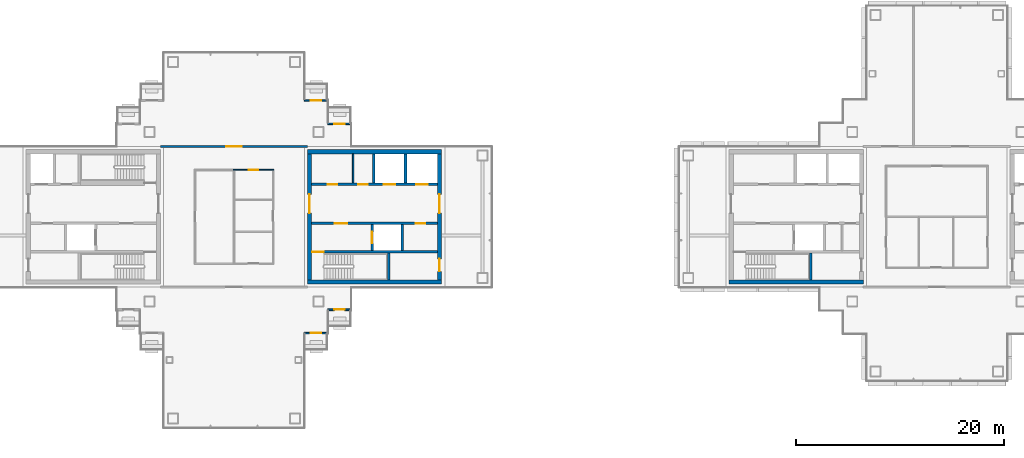
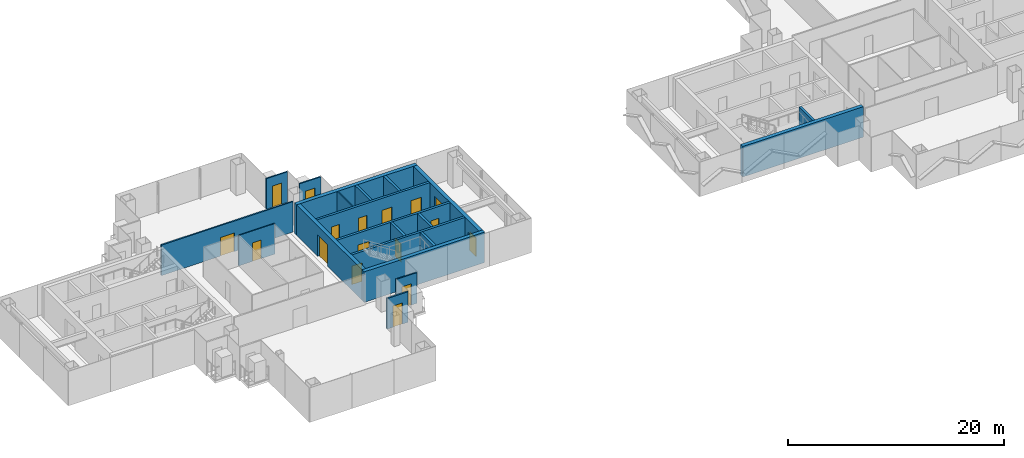
# One storey, part 10 of 17: 21 walls, 17 doors, 17 openings.
"""IFC4 building model written with IfcOpenShell, lengths in metres."""

from ifc_helpers import new_model, si_unit, direction, frame, frame_2d, origin, place, context, subcontext, project, spatial, rectangle, extrude, material, layer, layer_set, type_object, element, fill, save


model = new_model("IFC4")

# Units and contexts
model_context = context("Model", 3, precision=1e-05, world=origin(), true_north=direction((0.0, 1.0)))
body_context = subcontext(model_context, "Body", "Model", "MODEL_VIEW")
ifc_project = project(units=[si_unit("LENGTHUNIT", "METRE"), si_unit("AREAUNIT", "SQUARE_METRE"), si_unit("VOLUMEUNIT", "CUBIC_METRE"), si_unit("PLANEANGLEUNIT", "RADIAN"), si_unit("MASSUNIT", "GRAM", prefix="KILO")], contexts=[model_context])

# Site, building, storey
site_placement = place(None, origin())
site = spatial("IfcSite", under=ifc_project, at=site_placement, CompositionType="ELEMENT")
building_placement = place(site_placement, origin())
building = spatial("IfcBuilding", under=site, at=building_placement, Name="Shamsa Quay Exchange Towers", CompositionType="ELEMENT")
storey_placement = place(building_placement, frame((0.0, 0.0, 221.699951171875)))
storey = spatial("IfcBuildingStorey", under=building, at=storey_placement, Name="L53", CompositionType="ELEMENT", Elevation=221.699951171875)

# Wall, opening, door
ifc_material_1 = material(Name="Aluminium EN AW-6063 T6, black anodised, with black enamelled glass infill", Category="aluminium")
ifc_layer_1 = layer(ifc_material_1, 0.14990234375)
ifc_layer_set_1 = layer_set([ifc_layer_1], Name="BALCONY DOOR BAY WALL 150")
wall_type_1 = type_object("IfcWallType", Name="BALCONY DOOR BAY WALL 150", PredefinedType="SOLIDWALL", material=ifc_layer_set_1)
wall_1_placement = place(storey_placement, frame((-24.75, 8.925048828125, 0.0)))
wall_1 = element("IfcWall", 1, at=wall_1_placement, inside=storey, type_object=wall_type_1, Name="Door bay T1-PKEN L53", PredefinedType="SOLIDWALL", context=body_context, shape_type="SweptSolid", body=[
    extrude(rectangle(XDim=2.25, YDim=0.14990234375, at=frame_2d((1.125, 0.0))), origin(), (0.0, 0.0, 1.0), 3.449951171875),
])
opening_1_placement = place(wall_1_placement, frame((0.625, 0.0, 0.0)))
opening_1 = element("IfcOpeningElement", 2, at=opening_1_placement, cuts=wall_1, Name="Opening XD353", PredefinedType="OPENING", context=body_context, shape_type="SweptSolid", body=[
    extrude(rectangle(XDim=1.0, YDim=2.39990234375, at=frame_2d((0.5, 1.199951171875))), frame((0.0, 0.0849609375, 0.0), z_axis=(0.0, -1.0, 0.0), x_axis=(1.0, 0.0, 0.0)), (0.0, 0.0, 1.0), 0.169921875),
])
ifc_material_2 = material(Name="Aluminium EN AW-6063 T6, black anodised, with laminated glass leaf", Category="aluminium")
door_type_1 = type_object("IfcDoorType", Name="BALCONY DOOR 1000x2400", OperationType="SINGLE_SWING_LEFT", PredefinedType="DOOR", material=ifc_material_2)
door_1_placement = place(opening_1_placement, origin())
door_1 = element("IfcDoor", 3, at=door_1_placement, inside=storey, type_object=door_type_1, Name="Balcony door T1-PKEN L53", OperationType="SINGLE_SWING_RIGHT", OverallHeight=2.39990234375, OverallWidth=1.0, PredefinedType="DOOR", context=body_context, shape_type="SweptSolid", body=[
    extrude(rectangle(XDim=1.0, YDim=2.39990234375, at=frame_2d((0.5, 1.199951171875))), frame((0.0, 0.02490234375, 0.0), z_axis=(0.0, -1.0, 0.0), x_axis=(1.0, 0.0, 0.0)), (0.0, 0.0, 1.0), 0.050048828125),
])
fill(opening_1, door_1)

wall_2_placement = place(storey_placement, frame((-27.0, 11.175048828125, 0.0)))
wall_2 = element("IfcWall", 4, at=wall_2_placement, inside=storey, type_object=wall_type_1, Name="Door bay T1-PKEN L53", PredefinedType="SOLIDWALL", context=body_context, shape_type="SweptSolid", body=[
    extrude(rectangle(XDim=2.25, YDim=0.14990234375, at=frame_2d((1.125, 0.0))), origin(), (0.0, 0.0, 1.0), 3.449951171875),
])
opening_2_placement = place(wall_2_placement, frame((0.625, 0.0, 0.0)))
opening_2 = element("IfcOpeningElement", 5, at=opening_2_placement, cuts=wall_2, Name="Opening XD354", PredefinedType="OPENING", context=body_context, shape_type="SweptSolid", body=[
    extrude(rectangle(XDim=1.0, YDim=2.39990234375, at=frame_2d((0.5, 1.199951171875))), frame((0.0, 0.0849609375, 0.0), z_axis=(0.0, -1.0, 0.0), x_axis=(1.0, 0.0, 0.0)), (0.0, 0.0, 1.0), 0.169921875),
])
door_2_placement = place(opening_2_placement, origin())
door_2 = element("IfcDoor", 6, at=door_2_placement, inside=storey, type_object=door_type_1, Name="Balcony door T1-PKEN L53", OperationType="SINGLE_SWING_LEFT", OverallHeight=2.39990234375, OverallWidth=1.0, PredefinedType="DOOR", context=body_context, shape_type="SweptSolid", body=[
    extrude(rectangle(XDim=1.0, YDim=2.39990234375, at=frame_2d((0.5, 1.199951171875))), frame((0.0, 0.02490234375, 0.0), z_axis=(0.0, -1.0, 0.0), x_axis=(1.0, 0.0, 0.0)), (0.0, 0.0, 1.0), 0.050048828125),
])
fill(opening_2, door_2)

wall_3_placement = place(storey_placement, frame((-22.5, -8.925048828125, 0.0), z_axis=(0.0, 0.0, 1.0), x_axis=(-1.0, 0.0, 0.0)))
wall_3 = element("IfcWall", 7, at=wall_3_placement, inside=storey, type_object=wall_type_1, Name="Door bay T1-PKES L53", PredefinedType="SOLIDWALL", context=body_context, shape_type="SweptSolid", body=[
    extrude(rectangle(XDim=2.25, YDim=0.14990234375, at=frame_2d((1.125, 0.0))), origin(), (0.0, 0.0, 1.0), 3.449951171875),
])
opening_3_placement = place(wall_3_placement, frame((0.625, 0.0, 0.0)))
opening_3 = element("IfcOpeningElement", 8, at=opening_3_placement, cuts=wall_3, Name="Opening XD355", PredefinedType="OPENING", context=body_context, shape_type="SweptSolid", body=[
    extrude(rectangle(XDim=1.0, YDim=2.39990234375, at=frame_2d((0.5, 1.199951171875))), frame((0.0, 0.0849609375, 0.0), z_axis=(0.0, -1.0, 0.0), x_axis=(1.0, 0.0, 0.0)), (0.0, 0.0, 1.0), 0.169921875),
])
door_3_placement = place(opening_3_placement, origin())
door_3 = element("IfcDoor", 9, at=door_3_placement, inside=storey, type_object=door_type_1, Name="Balcony door T1-PKES L53", OperationType="SINGLE_SWING_RIGHT", OverallHeight=2.39990234375, OverallWidth=1.0, PredefinedType="DOOR", context=body_context, shape_type="SweptSolid", body=[
    extrude(rectangle(XDim=1.0, YDim=2.39990234375, at=frame_2d((0.5, 1.199951171875))), frame((0.0, 0.02490234375, 0.0), z_axis=(0.0, -1.0, 0.0), x_axis=(1.0, 0.0, 0.0)), (0.0, 0.0, 1.0), 0.050048828125),
])
fill(opening_3, door_3)

wall_4_placement = place(storey_placement, frame((-24.75, -11.175048828125, 0.0), z_axis=(0.0, 0.0, 1.0), x_axis=(-1.0, 0.0, 0.0)))
wall_4 = element("IfcWall", 10, at=wall_4_placement, inside=storey, type_object=wall_type_1, Name="Door bay T1-PKES L53", PredefinedType="SOLIDWALL", context=body_context, shape_type="SweptSolid", body=[
    extrude(rectangle(XDim=2.25, YDim=0.14990234375, at=frame_2d((1.125, 0.0))), origin(), (0.0, 0.0, 1.0), 3.449951171875),
])
opening_4_placement = place(wall_4_placement, frame((0.625, 0.0, 0.0)))
opening_4 = element("IfcOpeningElement", 11, at=opening_4_placement, cuts=wall_4, Name="Opening XD356", PredefinedType="OPENING", context=body_context, shape_type="SweptSolid", body=[
    extrude(rectangle(XDim=1.0, YDim=2.39990234375, at=frame_2d((0.5, 1.199951171875))), frame((0.0, 0.0849609375, 0.0), z_axis=(0.0, -1.0, 0.0), x_axis=(1.0, 0.0, 0.0)), (0.0, 0.0, 1.0), 0.169921875),
])
door_4_placement = place(opening_4_placement, origin())
door_4 = element("IfcDoor", 12, at=door_4_placement, inside=storey, type_object=door_type_1, Name="Balcony door T1-PKES L53", OperationType="SINGLE_SWING_LEFT", OverallHeight=2.39990234375, OverallWidth=1.0, PredefinedType="DOOR", context=body_context, shape_type="SweptSolid", body=[
    extrude(rectangle(XDim=1.0, YDim=2.39990234375, at=frame_2d((0.5, 1.199951171875))), frame((0.0, 0.02490234375, 0.0), z_axis=(0.0, -1.0, 0.0), x_axis=(1.0, 0.0, 0.0)), (0.0, 0.0, 1.0), 0.050048828125),
])
fill(opening_4, door_4)

# Walls
ifc_material_3 = material(Name="Concrete C60/75", Category="concrete")
ifc_layer_2 = layer(ifc_material_3, 0.39990234375)
ifc_layer_set_2 = layer_set([ifc_layer_2], Name="CORE WALL 400 C60/75")
wall_type_2 = type_object("IfcWallType", Name="CORE WALL 400 C60/75", PredefinedType="SHEAR", material=ifc_layer_set_2)
for number, where, name in (
    (13, (-26.699951171875, -6.25, 0.0), "Core wall T1A-R24-PS"),
    (14, (-26.699951171875, 6.25, 0.0), "Core wall T1A-R24-PN"),
):
    element("IfcWall", number, at=place(storey_placement, frame(where)), inside=storey, type_object=wall_type_2, Name=name, PredefinedType="SHEAR", context=body_context, shape_type="SweptSolid", body=[
        extrude(rectangle(XDim=12.89990234375, YDim=0.39990234375, at=frame_2d((6.449951171875, 0.0))), origin(), (0.0, 0.0, 1.0), 3.449951171875),
    ])

# Wall, opening, door
wall_5_placement = place(storey_placement, frame((-26.5, 6.050048828125, 0.0), z_axis=(0.0, 0.0, 1.0), x_axis=(0.0, -1.0, 0.0)))
wall_5 = element("IfcWall", 15, at=wall_5_placement, inside=storey, type_object=wall_type_2, Name="Core wall T1A-R24-PF", PredefinedType="SHEAR", context=body_context, shape_type="SweptSolid", body=[
    extrude(rectangle(XDim=12.10009765625, YDim=0.39990234375, at=frame_2d((6.050048828125, 0.0))), origin(), (0.0, 0.0, 1.0), 3.449951171875),
])
opening_5_placement = place(wall_5_placement, frame((3.89990234375, 0.0, 0.0)))
opening_5 = element("IfcOpeningElement", 16, at=opening_5_placement, cuts=wall_5, Name="Opening T1A-R24-LBD01", PredefinedType="OPENING", context=body_context, shape_type="SweptSolid", body=[
    extrude(rectangle(XDim=1.800048828125, YDim=2.39990234375, at=frame_2d((0.89990234375, 1.199951171875))), frame((0.0, 0.2099609375, 0.0), z_axis=(0.0, -1.0, 0.0), x_axis=(1.0, 0.0, 0.0)), (0.0, 0.0, 1.0), 0.419921875),
])
ifc_material_4 = material(Name="Steel, fire rated", Category="steel")
door_type_2 = type_object("IfcDoorType", Name="LIFT LOBBY DOOR PAIR 1800", OperationType="DOUBLE_DOOR_SINGLE_SWING", PredefinedType="DOOR", material=ifc_material_4)
door_5_placement = place(opening_5_placement, origin())
door_5 = element("IfcDoor", 17, at=door_5_placement, inside=storey, type_object=door_type_2, Name="T1A-R24-LBD01", OperationType="DOUBLE_DOOR_SINGLE_SWING", OverallHeight=2.39990234375, OverallWidth=1.800048828125, PredefinedType="DOOR", context=body_context, shape_type="SweptSolid", body=[
    extrude(rectangle(XDim=1.800048828125, YDim=2.39990234375, at=frame_2d((0.89990234375, 1.199951171875))), frame((0.0, 0.02490234375, 0.0), z_axis=(0.0, -1.0, 0.0), x_axis=(1.0, 0.0, 0.0)), (0.0, 0.0, 1.0), 0.050048828125),
])
fill(opening_5, door_5)

# Wall, openings, doors
wall_6_placement = place(storey_placement, frame((-14.0, 6.050048828125, 0.0), z_axis=(0.0, 0.0, 1.0), x_axis=(0.0, -1.0, 0.0)))
wall_6 = element("IfcWall", 18, at=wall_6_placement, inside=storey, type_object=wall_type_2, Name="Core wall T1A-R24-PB", PredefinedType="SHEAR", context=body_context, shape_type="SweptSolid", body=[
    extrude(rectangle(XDim=12.10009765625, YDim=0.39990234375, at=frame_2d((6.050048828125, 0.0))), origin(), (0.0, 0.0, 1.0), 3.449951171875),
])
opening_6_placement = place(wall_6_placement, frame((10.10009765625, 0.0, 0.0)))
opening_6 = element("IfcOpeningElement", 19, at=opening_6_placement, cuts=wall_6, Name="Opening T1A-R24-RD02", PredefinedType="OPENING", context=body_context, shape_type="SweptSolid", body=[
    extrude(rectangle(XDim=1.199951171875, YDim=2.10009765625, at=frame_2d((0.60009765625, 1.050048828125))), frame((0.0, 0.2099609375, 0.0), z_axis=(0.0, -1.0, 0.0), x_axis=(1.0, 0.0, 0.0)), (0.0, 0.0, 1.0), 0.419921875),
])
opening_7_placement = place(wall_6_placement, frame((3.89990234375, 0.0, 0.0)))
opening_7 = element("IfcOpeningElement", 20, at=opening_7_placement, cuts=wall_6, Name="Opening T1A-R24-LBD03", PredefinedType="OPENING", context=body_context, shape_type="SweptSolid", body=[
    extrude(rectangle(XDim=1.800048828125, YDim=2.39990234375, at=frame_2d((0.89990234375, 1.199951171875))), frame((0.0, 0.2099609375, 0.0), z_axis=(0.0, -1.0, 0.0), x_axis=(1.0, 0.0, 0.0)), (0.0, 0.0, 1.0), 0.419921875),
])
door_6_placement = place(opening_7_placement, origin())
door_6 = element("IfcDoor", 21, at=door_6_placement, inside=storey, type_object=door_type_2, Name="T1A-R24-LBD03", OperationType="DOUBLE_DOOR_SINGLE_SWING", OverallHeight=2.39990234375, OverallWidth=1.800048828125, PredefinedType="DOOR", context=body_context, shape_type="SweptSolid", body=[
    extrude(rectangle(XDim=1.800048828125, YDim=2.39990234375, at=frame_2d((0.89990234375, 1.199951171875))), frame((0.0, 0.02490234375, 0.0), z_axis=(0.0, -1.0, 0.0), x_axis=(1.0, 0.0, 0.0)), (0.0, 0.0, 1.0), 0.050048828125),
])
fill(opening_7, door_6)
door_type_3 = type_object("IfcDoorType", Name="RISER ACCESS DOOR 1200", OperationType="SINGLE_SWING_LEFT", PredefinedType="DOOR", material=ifc_material_4)
door_7_placement = place(opening_6_placement, origin())
door_7 = element("IfcDoor", 22, at=door_7_placement, inside=storey, type_object=door_type_3, Name="T1A-R24-RD02", OperationType="SINGLE_SWING_RIGHT", OverallHeight=2.10009765625, OverallWidth=1.199951171875, PredefinedType="DOOR", context=body_context, shape_type="SweptSolid", body=[
    extrude(rectangle(XDim=1.199951171875, YDim=2.10009765625, at=frame_2d((0.60009765625, 1.050048828125))), frame((0.0, 0.02490234375, 0.0), z_axis=(0.0, -1.0, 0.0), x_axis=(1.0, 0.0, 0.0)), (0.0, 0.0, 1.0), 0.050048828125),
])
fill(opening_6, door_7)

# Walls
wall_7_placement = place(storey_placement, frame((13.800048828125, -6.25, 0.0)))
element("IfcWall", 23, at=wall_7_placement, inside=storey, type_object=wall_type_2, Name="Core wall T2A-R24-PS", PredefinedType="SHEAR", context=body_context, shape_type="SweptSolid", body=[
    extrude(rectangle(XDim=12.89990234375, YDim=0.39990234375, at=frame_2d((6.449951171875, 0.0))), origin(), (0.0, 0.0, 1.0), 3.449951171875),
])
ifc_material_5 = material(Name="Gypsum board on steel studs, EI 60", Category="steel")
ifc_layer_3 = layer(ifc_material_5, 0.14990234375)
ifc_layer_set_3 = layer_set([ifc_layer_3], Name="FIRE PARTITION 150")
wall_type_3 = type_object("IfcWallType", Name="FIRE PARTITION 150", PredefinedType="PARTITIONING", material=ifc_layer_set_3)
wall_8_placement = place(storey_placement, frame((-22.300048828125, 3.25, 0.0), z_axis=(0.0, 0.0, 1.0), x_axis=(0.0, 1.0, 0.0)))
element("IfcWall", 24, at=wall_8_placement, inside=storey, type_object=wall_type_3, Name="Partition T1A-R24-FC0", PredefinedType="PARTITIONING", context=body_context, shape_type="SweptSolid", body=[
    extrude(rectangle(XDim=2.800048828125, YDim=0.14990234375, at=frame_2d((1.39990234375, 0.0))), origin(), (0.0, 0.0, 1.0), 3.449951171875),
])

# Wall, opening, door
ifc_material_6 = material(Name="Gypsum board partition on metal studs")
ifc_layer_4 = layer(ifc_material_6, 0.10009765625)
ifc_layer_set_4 = layer_set([ifc_layer_4], Name="Partition 100 mm NOT RATED")
wall_type_4 = type_object("IfcWallType", Name="Partition 100 mm NOT RATED", PredefinedType="PARTITIONING", material=ifc_layer_set_4)
wall_9_placement = place(storey_placement, frame((-29.949951171875, 4.5, 0.0), z_axis=(0.0, 0.0, 1.0), x_axis=(-1.0, 0.0, 0.0)))
wall_9 = element("IfcWall", 25, at=wall_9_placement, inside=storey, type_object=wall_type_4, Name="Partition T1-R24-W06", PredefinedType="PARTITIONING", context=body_context, shape_type="SweptSolid", body=[
    extrude(rectangle(XDim=3.862548828125, YDim=0.10009765625, at=frame_2d((1.93115234375, 0.0))), origin(), (0.0, 0.0, 1.0), 3.449951171875),
])
opening_8_placement = place(wall_9_placement, frame((1.47509765625, 0.0, 0.0)))
opening_8 = element("IfcOpeningElement", 26, at=opening_8_placement, cuts=wall_9, Name="Opening T1-R24-D05", PredefinedType="OPENING", context=body_context, shape_type="SweptSolid", body=[
    extrude(rectangle(XDim=0.89990234375, YDim=2.10009765625, at=frame_2d((0.449951171875, 1.050048828125))), frame((0.0, 0.06005859375, 0.0), z_axis=(0.0, -1.0, 0.0), x_axis=(1.0, 0.0, 0.0)), (0.0, 0.0, 1.0), 0.1201171875),
])
ifc_material_7 = material(Name="Timber door leaf in a metal frame", Category="wood")
door_type_4 = type_object("IfcDoorType", Name="Door 900x2100 NOT RATED", OperationType="NOTDEFINED", PredefinedType="DOOR", material=ifc_material_7)
door_8_placement = place(opening_8_placement, origin())
door_8 = element("IfcDoor", 27, at=door_8_placement, inside=storey, type_object=door_type_4, Name="Door T1-R24-D05", OperationType="SINGLE_SWING_LEFT", OverallHeight=2.10009765625, OverallWidth=0.89990234375, PredefinedType="DOOR", context=body_context, shape_type="SweptSolid", body=[
    extrude(rectangle(XDim=0.89990234375, YDim=2.10009765625, at=frame_2d((0.449951171875, 1.050048828125))), frame((0.0, 0.02490234375, 0.0), z_axis=(0.0, -1.0, 0.0), x_axis=(1.0, 0.0, 0.0)), (0.0, 0.0, 1.0), 0.050048828125),
])
fill(opening_8, door_8)

ifc_layer_5 = layer(ifc_material_6, 0.14990234375)
ifc_layer_set_5 = layer_set([ifc_layer_5], Name="Partition 150 mm EI 60")
wall_type_5 = type_object("IfcWallType", Name="Partition 150 mm EI 60", PredefinedType="PARTITIONING", material=ifc_layer_set_5)
wall_10_placement = place(storey_placement, frame((-40.800048828125, 6.75, 0.0)))
wall_10 = element("IfcWall", 28, at=wall_10_placement, inside=storey, type_object=wall_type_5, Name="Partition T1-R24-W07", PredefinedType="PARTITIONING", context=body_context, shape_type="SweptSolid", body=[
    extrude(rectangle(XDim=14.10009765625, YDim=0.14990234375, at=frame_2d((7.050048828125, 0.0))), origin(), (0.0, 0.0, 1.0), 3.449951171875),
])
opening_9_placement = place(wall_10_placement, frame((6.300048828125, 0.0, 0.0)))
opening_9 = element("IfcOpeningElement", 29, at=opening_9_placement, cuts=wall_10, Name="Opening T1-R24-D01", PredefinedType="OPENING", context=body_context, shape_type="SweptSolid", body=[
    extrude(rectangle(XDim=1.5, YDim=2.10009765625, at=frame_2d((0.75, 1.050048828125))), frame((0.0, 0.0849609375, 0.0), z_axis=(0.0, -1.0, 0.0), x_axis=(1.0, 0.0, 0.0)), (0.0, 0.0, 1.0), 0.169921875),
])
door_type_5 = type_object("IfcDoorType", Name="Door 1500x2100 FD30S pair", OperationType="NOTDEFINED", PredefinedType="DOOR", material=ifc_material_7)
door_9_placement = place(opening_9_placement, origin())
door_9 = element("IfcDoor", 30, at=door_9_placement, inside=storey, type_object=door_type_5, Name="Door T1-R24-D01", OperationType="DOUBLE_DOOR_SINGLE_SWING", OverallHeight=2.10009765625, OverallWidth=1.5, PredefinedType="DOOR", context=body_context, shape_type="SweptSolid", body=[
    extrude(rectangle(XDim=1.5, YDim=2.10009765625, at=frame_2d((0.75, 1.050048828125))), frame((0.0, 0.02490234375, 0.0), z_axis=(0.0, -1.0, 0.0), x_axis=(1.0, 0.0, 0.0)), (0.0, 0.0, 1.0), 0.050048828125),
])
fill(opening_9, door_9)

ifc_material_8 = material(Name="Concrete C50/60", Category="concrete")
ifc_layer_6 = layer(ifc_material_8, 0.25)
ifc_layer_set_6 = layer_set([ifc_layer_6], Name="SHAFT WALL 250 C50/60")
wall_type_6 = type_object("IfcWallType", Name="SHAFT WALL 250 C50/60", PredefinedType="SHEAR", material=ifc_layer_set_6)
wall_11_placement = place(storey_placement, frame((-14.199951171875, -3.375, 0.0), z_axis=(0.0, 0.0, 1.0), x_axis=(-1.0, 0.0, 0.0)))
wall_11 = element("IfcWall", 31, at=wall_11_placement, inside=storey, type_object=wall_type_6, Name="Shaft wall T1A-R24-STL", PredefinedType="SHEAR", context=body_context, shape_type="SweptSolid", body=[
    extrude(rectangle(XDim=12.10009765625, YDim=0.25, at=frame_2d((6.050048828125, 0.0))), origin(), (0.0, 0.0, 1.0), 3.449951171875),
])
opening_10_placement = place(wall_11_placement, frame((10.949951171875, 0.0, 0.0)))
opening_10 = element("IfcOpeningElement", 32, at=opening_10_placement, cuts=wall_11, Name="Opening T1A-R24-SD04", PredefinedType="OPENING", context=body_context, shape_type="SweptSolid", body=[
    extrude(rectangle(XDim=1.10009765625, YDim=2.10009765625, at=frame_2d((0.550048828125, 1.050048828125))), frame((0.0, 0.135009765625, 0.0), z_axis=(0.0, -1.0, 0.0), x_axis=(1.0, 0.0, 0.0)), (0.0, 0.0, 1.0), 0.27001953125),
])
door_type_6 = type_object("IfcDoorType", Name="STAIR DOOR 1100", OperationType="SINGLE_SWING_LEFT", PredefinedType="DOOR", material=ifc_material_4)
door_10_placement = place(opening_10_placement, origin())
door_10 = element("IfcDoor", 33, at=door_10_placement, inside=storey, type_object=door_type_6, Name="T1A-R24-SD04", OperationType="SINGLE_SWING_RIGHT", OverallHeight=2.10009765625, OverallWidth=1.10009765625, PredefinedType="DOOR", context=body_context, shape_type="SweptSolid", body=[
    extrude(rectangle(XDim=1.10009765625, YDim=2.10009765625, at=frame_2d((0.550048828125, 1.050048828125))), frame((0.0, 0.02490234375, 0.0), z_axis=(0.0, -1.0, 0.0), x_axis=(1.0, 0.0, 0.0)), (0.0, 0.0, 1.0), 0.050048828125),
])
fill(opening_10, door_10)

# Wall
wall_12_placement = place(storey_placement, frame((-18.875, -6.050048828125, 0.0), z_axis=(0.0, 0.0, 1.0), x_axis=(0.0, 1.0, 0.0)))
element("IfcWall", 34, at=wall_12_placement, inside=storey, type_object=wall_type_6, Name="Shaft wall T1A-R24-STF", PredefinedType="SHEAR", context=body_context, shape_type="SweptSolid", body=[
    extrude(rectangle(XDim=2.550048828125, YDim=0.25, at=frame_2d((1.27490234375, 0.0))), origin(), (0.0, 0.0, 1.0), 3.449951171875),
])

# Wall, openings, doors
wall_13_placement = place(storey_placement, frame((-14.199951171875, -0.625, 0.0), z_axis=(0.0, 0.0, 1.0), x_axis=(-1.0, 0.0, 0.0)))
wall_13 = element("IfcWall", 35, at=wall_13_placement, inside=storey, type_object=wall_type_6, Name="Shaft wall T1A-R24-B", PredefinedType="SHEAR", context=body_context, shape_type="SweptSolid", body=[
    extrude(rectangle(XDim=12.10009765625, YDim=0.25, at=frame_2d((6.050048828125, 0.0))), origin(), (0.0, 0.0, 1.0), 3.449951171875),
])
opening_11_placement = place(wall_13_placement, frame((8.64990234375, 0.0, 0.0)))
opening_11 = element("IfcOpeningElement", 36, at=opening_11_placement, cuts=wall_13, Name="Opening T1A-R24-FD05", PredefinedType="OPENING", context=body_context, shape_type="SweptSolid", body=[
    extrude(rectangle(XDim=1.199951171875, YDim=2.10009765625, at=frame_2d((0.60009765625, 1.050048828125))), frame((0.0, 0.135009765625, 0.0), z_axis=(0.0, -1.0, 0.0), x_axis=(1.0, 0.0, 0.0)), (0.0, 0.0, 1.0), 0.27001953125),
])
opening_12_placement = place(wall_13_placement, frame((1.175048828125, 0.0, 0.0)))
opening_12 = element("IfcOpeningElement", 37, at=opening_12_placement, cuts=wall_13, Name="Opening T1A-R24-SV06", PredefinedType="OPENING", context=body_context, shape_type="SweptSolid", body=[
    extrude(rectangle(XDim=0.89990234375, YDim=2.10009765625, at=frame_2d((0.449951171875, 1.050048828125))), frame((0.0, 0.135009765625, 0.0), z_axis=(0.0, -1.0, 0.0), x_axis=(1.0, 0.0, 0.0)), (0.0, 0.0, 1.0), 0.27001953125),
])
door_type_7 = type_object("IfcDoorType", Name="FIRE SERVICE LOBBY DOOR 1200", OperationType="SINGLE_SWING_LEFT", PredefinedType="DOOR", material=ifc_material_4)
door_11_placement = place(opening_11_placement, origin())
door_11 = element("IfcDoor", 38, at=door_11_placement, inside=storey, type_object=door_type_7, Name="T1A-R24-FD05", OperationType="SINGLE_SWING_RIGHT", OverallHeight=2.10009765625, OverallWidth=1.199951171875, PredefinedType="DOOR", context=body_context, shape_type="SweptSolid", body=[
    extrude(rectangle(XDim=1.199951171875, YDim=2.10009765625, at=frame_2d((0.60009765625, 1.050048828125))), frame((0.0, 0.02490234375, 0.0), z_axis=(0.0, -1.0, 0.0), x_axis=(1.0, 0.0, 0.0)), (0.0, 0.0, 1.0), 0.050048828125),
])
fill(opening_11, door_11)
door_type_8 = type_object("IfcDoorType", Name="SERVICE ROOM DOOR 900", OperationType="SINGLE_SWING_LEFT", PredefinedType="DOOR", material=ifc_material_4)
door_12_placement = place(opening_12_placement, origin())
door_12 = element("IfcDoor", 39, at=door_12_placement, inside=storey, type_object=door_type_8, Name="T1A-R24-SV06", OperationType="SINGLE_SWING_LEFT", OverallHeight=2.10009765625, OverallWidth=0.89990234375, PredefinedType="DOOR", context=body_context, shape_type="SweptSolid", body=[
    extrude(rectangle(XDim=0.89990234375, YDim=2.10009765625, at=frame_2d((0.449951171875, 1.050048828125))), frame((0.0, 0.02490234375, 0.0), z_axis=(0.0, -1.0, 0.0), x_axis=(1.0, 0.0, 0.0)), (0.0, 0.0, 1.0), 0.050048828125),
])
fill(opening_12, door_12)

# Wall, opening, door
wall_14_placement = place(storey_placement, frame((-20.47509765625, -3.25, 0.0), z_axis=(0.0, 0.0, 1.0), x_axis=(0.0, 1.0, 0.0)))
wall_14 = element("IfcWall", 40, at=wall_14_placement, inside=storey, type_object=wall_type_6, Name="Shaft wall T1A-R24-FFF", PredefinedType="SHEAR", context=body_context, shape_type="SweptSolid", body=[
    extrude(rectangle(XDim=2.5, YDim=0.25, at=frame_2d((1.25, 0.0))), origin(), (0.0, 0.0, 1.0), 3.449951171875),
])
opening_13_placement = place(wall_14_placement, frame((0.699951171875, 0.0, 0.0)))
opening_13 = element("IfcOpeningElement", 41, at=opening_13_placement, cuts=wall_14, Name="Opening T1A-R24-LDF07", PredefinedType="OPENING", context=body_context, shape_type="SweptSolid", body=[
    extrude(rectangle(XDim=1.10009765625, YDim=2.10009765625, at=frame_2d((0.550048828125, 1.050048828125))), frame((0.0, 0.135009765625, 0.0), z_axis=(0.0, -1.0, 0.0), x_axis=(1.0, 0.0, 0.0)), (0.0, 0.0, 1.0), 0.27001953125),
])
door_type_9 = type_object("IfcDoorType", Name="FIRE SERVICE LANDING DOOR 1100", OperationType="SLIDING_TO_LEFT", PredefinedType="DOOR", material=ifc_material_4)
door_13_placement = place(opening_13_placement, origin())
door_13 = element("IfcDoor", 42, at=door_13_placement, inside=storey, type_object=door_type_9, Name="T1A-R24-LDF07", OperationType="SLIDING_TO_LEFT", OverallHeight=2.10009765625, OverallWidth=1.10009765625, PredefinedType="DOOR", context=body_context, shape_type="SweptSolid", body=[
    extrude(rectangle(XDim=1.10009765625, YDim=2.10009765625, at=frame_2d((0.550048828125, 1.050048828125))), frame((0.0, 0.02490234375, 0.0), z_axis=(0.0, -1.0, 0.0), x_axis=(1.0, 0.0, 0.0)), (0.0, 0.0, 1.0), 0.050048828125),
])
fill(opening_13, door_13)

# Wall
wall_15_placement = place(storey_placement, frame((-17.574951171875, -3.25, 0.0), z_axis=(0.0, 0.0, 1.0), x_axis=(0.0, 1.0, 0.0)))
element("IfcWall", 43, at=wall_15_placement, inside=storey, type_object=wall_type_6, Name="Shaft wall T1A-R24-FFB", PredefinedType="SHEAR", context=body_context, shape_type="SweptSolid", body=[
    extrude(rectangle(XDim=2.5, YDim=0.25, at=frame_2d((1.25, 0.0))), origin(), (0.0, 0.0, 1.0), 3.449951171875),
])

# Wall, openings, doors
wall_16_placement = place(storey_placement, frame((-26.300048828125, 3.125, 0.0)))
wall_16 = element("IfcWall", 44, at=wall_16_placement, inside=storey, type_object=wall_type_6, Name="Shaft wall T1A-R24-N", PredefinedType="SHEAR", context=body_context, shape_type="SweptSolid", body=[
    extrude(rectangle(XDim=12.10009765625, YDim=0.25, at=frame_2d((6.050048828125, 0.0))), origin(), (0.0, 0.0, 1.0), 3.449951171875),
])
opening_14_placement = place(wall_16_placement, frame((6.949951171875, 0.0, 0.0)))
opening_14 = element("IfcOpeningElement", 45, at=opening_14_placement, cuts=wall_16, Name="Opening T1A-R24-LD08", PredefinedType="OPENING", context=body_context, shape_type="SweptSolid", body=[
    extrude(rectangle(XDim=1.10009765625, YDim=2.10009765625, at=frame_2d((0.550048828125, 1.050048828125))), frame((0.0, 0.135009765625, 0.0), z_axis=(0.0, -1.0, 0.0), x_axis=(1.0, 0.0, 0.0)), (0.0, 0.0, 1.0), 0.27001953125),
])
opening_15_placement = place(wall_16_placement, frame((10.074951171875, 0.0, 0.0)))
opening_15 = element("IfcOpeningElement", 46, at=opening_15_placement, cuts=wall_16, Name="Opening T1A-R24-LD09", PredefinedType="OPENING", context=body_context, shape_type="SweptSolid", body=[
    extrude(rectangle(XDim=1.10009765625, YDim=2.10009765625, at=frame_2d((0.550048828125, 1.050048828125))), frame((0.0, 0.135009765625, 0.0), z_axis=(0.0, -1.0, 0.0), x_axis=(1.0, 0.0, 0.0)), (0.0, 0.0, 1.0), 0.27001953125),
])
opening_16_placement = place(wall_16_placement, frame((1.550048828125, 0.0, 0.0)))
opening_16 = element("IfcOpeningElement", 47, at=opening_16_placement, cuts=wall_16, Name="Opening T1A-R24-SV10", PredefinedType="OPENING", context=body_context, shape_type="SweptSolid", body=[
    extrude(rectangle(XDim=0.89990234375, YDim=2.10009765625, at=frame_2d((0.449951171875, 1.050048828125))), frame((0.0, 0.135009765625, 0.0), z_axis=(0.0, -1.0, 0.0), x_axis=(1.0, 0.0, 0.0)), (0.0, 0.0, 1.0), 0.27001953125),
])
opening_17_placement = place(wall_16_placement, frame((4.47509765625, 0.0, 0.0)))
opening_17 = element("IfcOpeningElement", 48, at=opening_17_placement, cuts=wall_16, Name="Opening T1A-R24-SV11", PredefinedType="OPENING", context=body_context, shape_type="SweptSolid", body=[
    extrude(rectangle(XDim=0.89990234375, YDim=2.10009765625, at=frame_2d((0.449951171875, 1.050048828125))), frame((0.0, 0.135009765625, 0.0), z_axis=(0.0, -1.0, 0.0), x_axis=(1.0, 0.0, 0.0)), (0.0, 0.0, 1.0), 0.27001953125),
])
door_type_10 = type_object("IfcDoorType", Name="LANDING DOOR 1100", OperationType="SLIDING_TO_LEFT", PredefinedType="DOOR", material=ifc_material_4)
door_14_placement = place(opening_14_placement, origin())
door_14 = element("IfcDoor", 49, at=door_14_placement, inside=storey, type_object=door_type_10, Name="T1A-R24-LD08", OperationType="SLIDING_TO_LEFT", OverallHeight=2.10009765625, OverallWidth=1.10009765625, PredefinedType="DOOR", context=body_context, shape_type="SweptSolid", body=[
    extrude(rectangle(XDim=1.10009765625, YDim=2.10009765625, at=frame_2d((0.550048828125, 1.050048828125))), frame((0.0, 0.02490234375, 0.0), z_axis=(0.0, -1.0, 0.0), x_axis=(1.0, 0.0, 0.0)), (0.0, 0.0, 1.0), 0.050048828125),
])
fill(opening_14, door_14)
door_15_placement = place(opening_15_placement, origin())
door_15 = element("IfcDoor", 50, at=door_15_placement, inside=storey, type_object=door_type_10, Name="T1A-R24-LD09", OperationType="SLIDING_TO_LEFT", OverallHeight=2.10009765625, OverallWidth=1.10009765625, PredefinedType="DOOR", context=body_context, shape_type="SweptSolid", body=[
    extrude(rectangle(XDim=1.10009765625, YDim=2.10009765625, at=frame_2d((0.550048828125, 1.050048828125))), frame((0.0, 0.02490234375, 0.0), z_axis=(0.0, -1.0, 0.0), x_axis=(1.0, 0.0, 0.0)), (0.0, 0.0, 1.0), 0.050048828125),
])
fill(opening_15, door_15)
door_16_placement = place(opening_16_placement, origin())
door_16 = element("IfcDoor", 51, at=door_16_placement, inside=storey, type_object=door_type_8, Name="T1A-R24-SV10", OperationType="SINGLE_SWING_LEFT", OverallHeight=2.10009765625, OverallWidth=0.89990234375, PredefinedType="DOOR", context=body_context, shape_type="SweptSolid", body=[
    extrude(rectangle(XDim=0.89990234375, YDim=2.10009765625, at=frame_2d((0.449951171875, 1.050048828125))), frame((0.0, 0.02490234375, 0.0), z_axis=(0.0, -1.0, 0.0), x_axis=(1.0, 0.0, 0.0)), (0.0, 0.0, 1.0), 0.050048828125),
])
fill(opening_16, door_16)
door_17_placement = place(opening_17_placement, origin())
door_17 = element("IfcDoor", 52, at=door_17_placement, inside=storey, type_object=door_type_8, Name="T1A-R24-SV11", OperationType="SINGLE_SWING_LEFT", OverallHeight=2.10009765625, OverallWidth=0.89990234375, PredefinedType="DOOR", context=body_context, shape_type="SweptSolid", body=[
    extrude(rectangle(XDim=0.89990234375, YDim=2.10009765625, at=frame_2d((0.449951171875, 1.050048828125))), frame((0.0, 0.02490234375, 0.0), z_axis=(0.0, -1.0, 0.0), x_axis=(1.0, 0.0, 0.0)), (0.0, 0.0, 1.0), 0.050048828125),
])
fill(opening_17, door_17)

# Walls
for number, where, z_axis, x_axis, name in (
    (53, (-20.324951171875, 3.25, 0.0), (0.0, 0.0, 1.0), (0.0, 1.0, 0.0), "Shaft wall T1A-R24-D1"),
    (54, (-17.27490234375, 3.25, 0.0), (0.0, 0.0, 1.0), (0.0, 1.0, 0.0), "Shaft wall T1A-R24-D2"),
):
    element("IfcWall", number, at=place(storey_placement, frame(where, z_axis=z_axis, x_axis=x_axis)), inside=storey, type_object=wall_type_6, Name=name, PredefinedType="SHEAR", context=body_context, shape_type="SweptSolid", body=[
        extrude(rectangle(XDim=2.800048828125, YDim=0.25, at=frame_2d((1.39990234375, 0.0))), origin(), (0.0, 0.0, 1.0), 3.449951171875),
    ])
wall_17_placement = place(storey_placement, frame((21.625, -6.050048828125, 0.0), z_axis=(0.0, 0.0, 1.0), x_axis=(0.0, 1.0, 0.0)))
element("IfcWall", 55, at=wall_17_placement, inside=storey, type_object=wall_type_6, Name="Shaft wall T2A-R24-STF", PredefinedType="SHEAR", context=body_context, shape_type="SweptSolid", body=[
    extrude(rectangle(XDim=2.550048828125, YDim=0.25, at=frame_2d((1.27490234375, 0.0))), origin(), (0.0, 0.0, 1.0), 3.449951171875),
])

save(model, "model.ifc")
